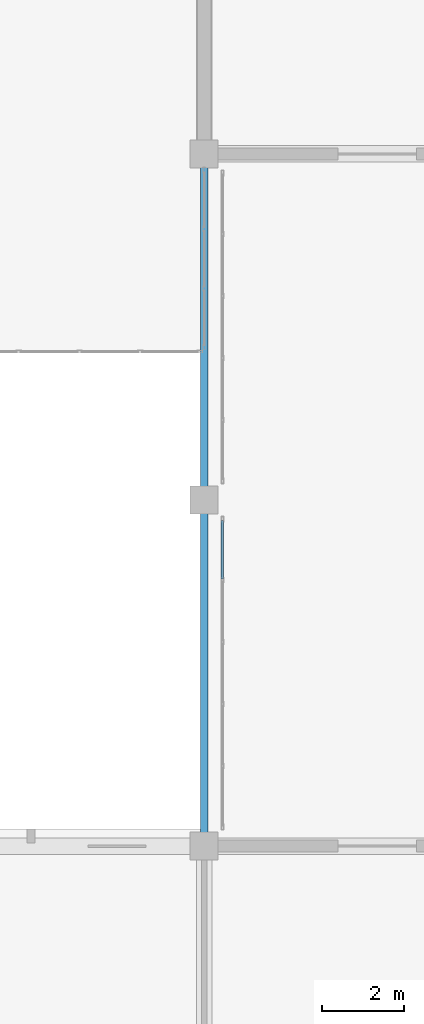
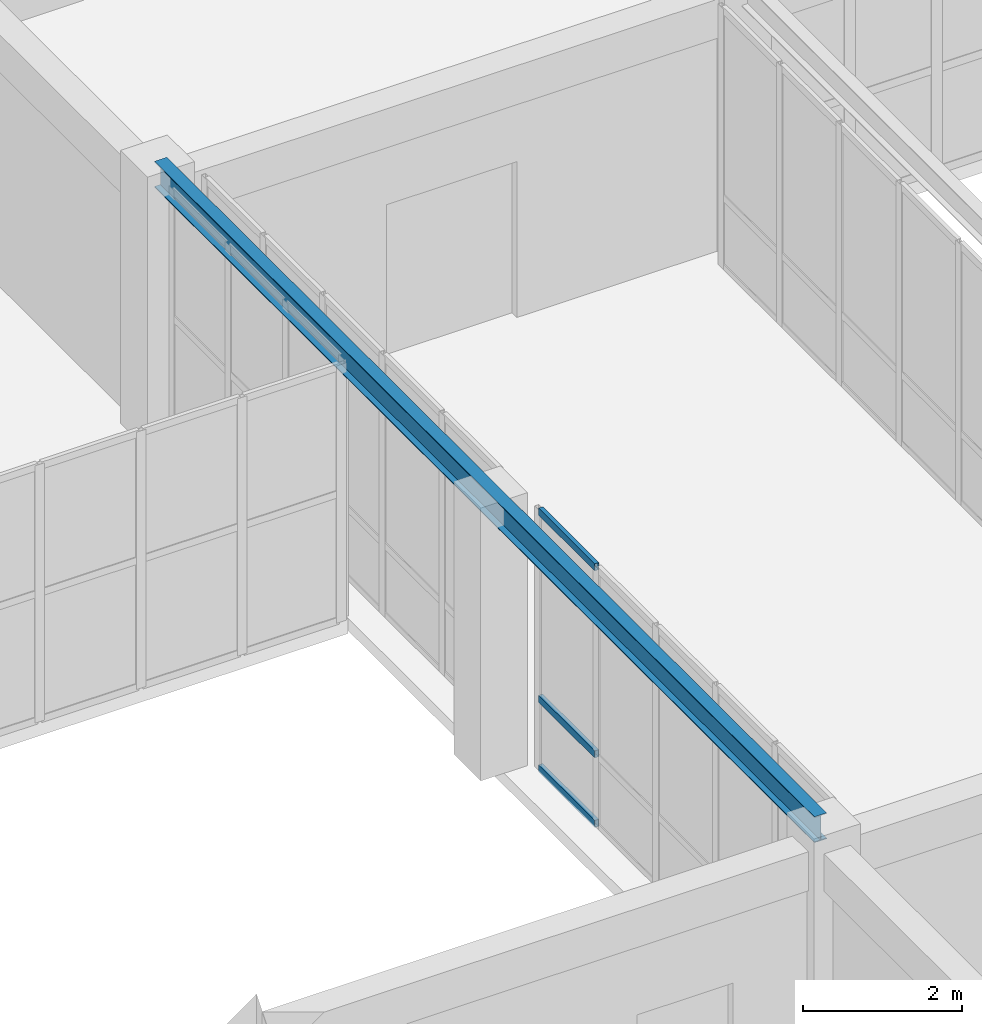
# One storey, part 33 of 140: 3 members, 1 beam, 1 element without a shape of its own.
"""IFC4 building model written with IfcOpenShell, lengths in metres."""

from ifc_helpers import new_model, si_unit, direction, frame, origin, origin_2d, place, context, subcontext, project, spatial, hollow_rectangle, i_section, extrude, material, layer, layer_set, material_profile, profile_set, type_object, element, aggregate, save


model = new_model("IFC4")

# Units and contexts
model_context = context("Model", 3, precision=1e-05, world=origin(), true_north=direction((0.0, 1.0)))
body_context = subcontext(model_context, "Body", "Model", "MODEL_VIEW")
ifc_project = project(units=[si_unit("LENGTHUNIT", "METRE"), si_unit("AREAUNIT", "SQUARE_METRE"), si_unit("VOLUMEUNIT", "CUBIC_METRE"), si_unit("PLANEANGLEUNIT", "RADIAN"), si_unit("MASSUNIT", "GRAM", prefix="KILO")], contexts=[model_context])

# Site, building, storey
site_placement = place(None, origin())
site = spatial("IfcSite", under=ifc_project, at=site_placement, CompositionType="ELEMENT")
building_placement = place(site_placement, origin())
building = spatial("IfcBuilding", under=site, at=building_placement, Name="Trelvath General Hospital", CompositionType="ELEMENT")
storey_placement = place(building_placement, frame((0.0, 0.0, 16.199951171875)))
storey = spatial("IfcBuildingStorey", under=building, at=storey_placement, Name="L04", CompositionType="ELEMENT", Elevation=16.199951171875)

# Beam
ifc_material_1 = material(Name="Steel S355", Category="steel")
ifc_material_profile_1 = material_profile(ifc_material_1, i_section(OverallWidth=0.179931640625, OverallDepth=0.39990234375, WebThickness=0.008544921875, FlangeThickness=0.013427734375, at=origin_2d()), Name="IPE400")
ifc_profile_set_1 = profile_set([ifc_material_profile_1], Name="Steel S355")
beam_type = type_object("IfcBeamType", Name="BridgeGirder IPE400", PredefinedType="BEAM", material=ifc_profile_set_1)
beam_placement = place(storey_placement, frame((75.60009765625, 25.280029296875, 4.0), z_axis=(0.0, 1.0, 0.0), x_axis=(-1.0, 0.0, 0.0)))
element("IfcBeam", 1, at=beam_placement, inside=storey, type_object=beam_type, Name="Bridge Roof Girder BRG-S-C W", PredefinedType="BEAM", context=body_context, shape_type="SweptSolid", body=[
    extrude(i_section(OverallWidth=0.179931640625, OverallDepth=0.39990234375, WebThickness=0.008544921875, FlangeThickness=0.013427734375, at=origin_2d()), origin(), (0.0, 0.0, 1.0), 16.639892578125),
])

# Curtain wall, members
ifc_material_2 = material(Name="Anodised aluminium and low-E glass", Category="aluminium")
ifc_layer = layer(ifc_material_2, 0.139892578125)
ifc_layer_set = layer_set([ifc_layer], Name="Anodised aluminium and low-E glass")
curtain_wall_type = type_object("IfcCurtainWallType", Name="CW Bridge 752 401", PredefinedType="USERDEFINED", material=ifc_layer_set)
curtain_wall_placement = place(storey_placement, origin())
curtain_wall = element("IfcCurtainWall", 2, at=curtain_wall_placement, inside=storey, type_object=curtain_wall_type, Name="Glazed Bridge Curtain Wall BRG-S-C W L04", ObjectType="Unitised Glazed Curtain Wall", PredefinedType="USERDEFINED")
ifc_material_3 = material(Name="Anodised aluminium", Category="aluminium")
ifc_material_profile_2 = material_profile(ifc_material_3, hollow_rectangle(XDim=0.06005859375, YDim=0.110107421875, WallThickness=0.00390625, at=origin_2d()), Name="RHS60x110x4")
ifc_profile_set_2 = profile_set([ifc_material_profile_2], Name="Anodised aluminium")
member_type = type_object("IfcMemberType", Name="CurtainTransom 60x110", PredefinedType="USERDEFINED", material=ifc_profile_set_2)
member_1_placement = place(storey_placement, frame((76.0400390625, 31.68603515625, 0.030029296875), z_axis=(0.0, 1.0, 0.0), x_axis=(-1.0, 0.0, 0.0)))
member_1 = element("IfcMember", 3, at=member_1_placement, type_object=member_type, Name="CW-302 transom 5.1", ObjectType="TRANSOM", PredefinedType="USERDEFINED", context=body_context, shape_type="SweptSolid", body=[
    extrude(hollow_rectangle(XDim=0.06005859375, YDim=0.110107421875, WallThickness=0.00390625, at=origin_2d()), origin(), (0.0, 0.0, 1.0), 1.4140625),
])
member_2_placement = place(storey_placement, frame((76.0400390625, 31.68603515625, 1.10009765625), z_axis=(0.0, 1.0, 0.0), x_axis=(-1.0, 0.0, 0.0)))
member_2 = element("IfcMember", 4, at=member_2_placement, type_object=member_type, Name="CW-302 transom 5.2", ObjectType="TRANSOM", PredefinedType="USERDEFINED", context=body_context, shape_type="SweptSolid", body=[
    extrude(hollow_rectangle(XDim=0.06005859375, YDim=0.110107421875, WallThickness=0.00390625, at=origin_2d()), origin(), (0.0, 0.0, 1.0), 1.4140625),
])
member_3_placement = place(storey_placement, frame((76.0400390625, 31.68603515625, 3.97998046875), z_axis=(0.0, 1.0, 0.0), x_axis=(-1.0, 0.0, 0.0)))
member_3 = element("IfcMember", 5, at=member_3_placement, type_object=member_type, Name="CW-302 transom 5.3", ObjectType="TRANSOM", PredefinedType="USERDEFINED", context=body_context, shape_type="SweptSolid", body=[
    extrude(hollow_rectangle(XDim=0.06005859375, YDim=0.110107421875, WallThickness=0.00390625, at=origin_2d()), origin(), (0.0, 0.0, 1.0), 1.4140625),
])
aggregate(curtain_wall, [member_1, member_2, member_3])

save(model, "model.ifc")
